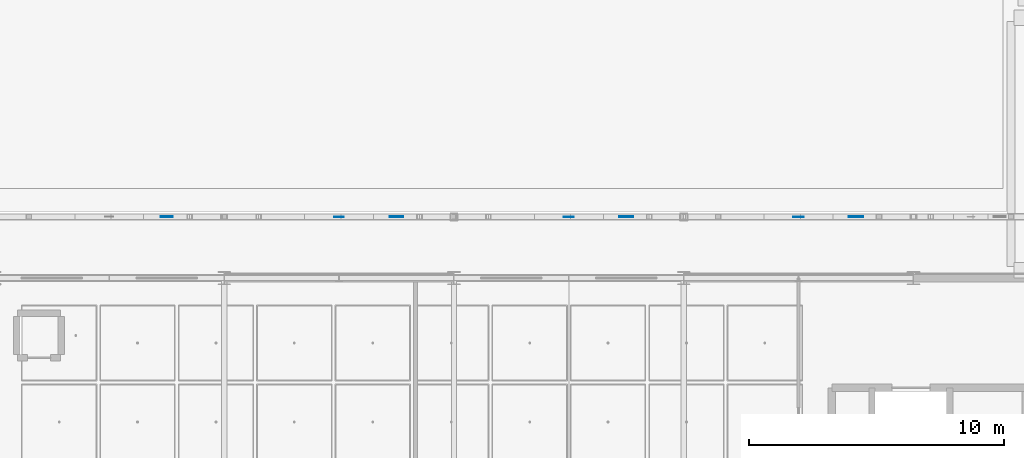
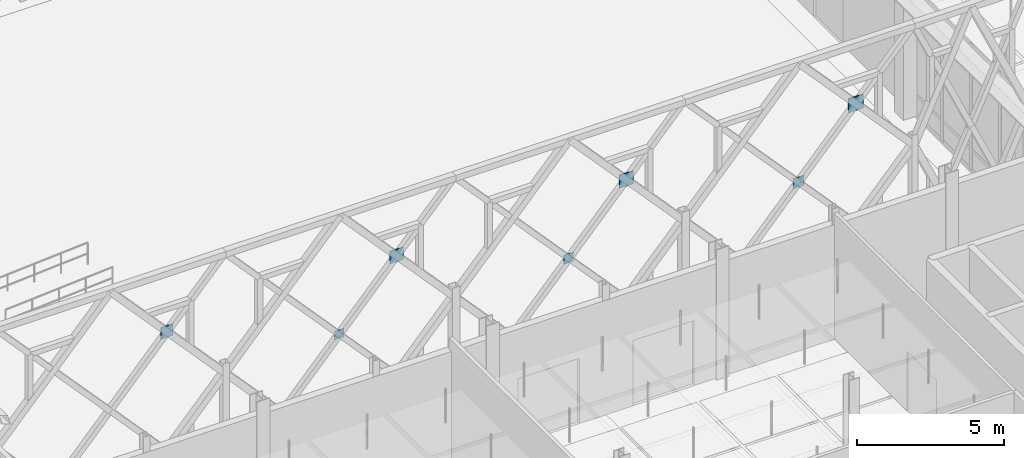
# One storey, part 84 of 180: 7 plates.
"""IFC4 building model written with IfcOpenShell, lengths in metres."""

from ifc_helpers import new_model, si_unit, direction, frame, origin, origin_2d, place, context, subcontext, project, spatial, rectangle, extrude, material, layer, layer_set, type_object, element, save


model = new_model("IFC4")

# Units and contexts
model_context = context("Model", 3, precision=1e-05, world=origin(), true_north=direction((0.0, 1.0)))
body_context = subcontext(model_context, "Body", "Model", "MODEL_VIEW")
ifc_project = project(units=[si_unit("LENGTHUNIT", "METRE"), si_unit("AREAUNIT", "SQUARE_METRE"), si_unit("VOLUMEUNIT", "CUBIC_METRE"), si_unit("PLANEANGLEUNIT", "RADIAN"), si_unit("MASSUNIT", "GRAM", prefix="KILO"), si_unit("THERMODYNAMICTEMPERATUREUNIT", "KELVIN"), si_unit("POWERUNIT", "WATT")], contexts=[model_context])

# Site, building, storey
site_placement = place(None, origin())
site = spatial("IfcSite", under=ifc_project, at=site_placement, CompositionType="ELEMENT")
building_placement = place(site_placement, origin())
building = spatial("IfcBuilding", under=site, at=building_placement, Name="Tallowbark Science Centre", CompositionType="ELEMENT")
storey_placement = place(building_placement, origin())
storey = spatial("IfcBuildingStorey", under=building, at=storey_placement, Name="L00", CompositionType="ELEMENT", Elevation=0.0)

# Plates
ifc_material = material(Name="Structural Steel Grade 300PLUS (300 MPa)", Category="steel")
ifc_layer_1 = layer(ifc_material, 0.01611328125)
ifc_layer_set_1 = layer_set([ifc_layer_1], Name="Structural Steel Grade 300PLUS (300 MPa)")
plate_type_1 = type_object("IfcPlateType", Name="PLT-GUS-16", PredefinedType="SHEET", material=ifc_layer_set_1)
plate_1_placement = place(storey_placement, frame((72.0, 42.89990234375, 4.77001953125), z_axis=(0.0, 0.0, 1.0), x_axis=(1.0, 0.0, 0.0)))
element("IfcPlate", 1, at=plate_1_placement, inside=storey, type_object=plate_type_1, Name="Star X-Brace Crossing Gusset Plate N-4", PredefinedType="SHEET", context=body_context, shape_type="SweptSolid", body=[
    extrude(rectangle(XDim=0.360107421875, YDim=0.01611328125, at=origin_2d()), origin(), (0.0, 0.0, 1.0), 0.360107421875),
])
ifc_layer_2 = layer(ifc_material, 0.01806640625)
ifc_layer_set_2 = layer_set([ifc_layer_2], Name="Structural Steel Grade 300PLUS (300 MPa)")
plate_type_2 = type_object("IfcPlateType", Name="PLT-GUS-18", PredefinedType="SHEET", material=ifc_layer_set_2)
plate_2_placement = place(storey_placement, frame((81.0, 42.89990234375, 4.760009765625), z_axis=(0.0, 0.0, 1.0), x_axis=(1.0, 0.0, 0.0)))
element("IfcPlate", 2, at=plate_2_placement, inside=storey, type_object=plate_type_2, Name="Star X-Brace Crossing Gusset Plate N-5", PredefinedType="SHEET", context=body_context, shape_type="SweptSolid", body=[
    extrude(rectangle(XDim=0.3798828125, YDim=0.01806640625, at=origin_2d()), origin(), (0.0, 0.0, 1.0), 0.3798828125),
])
ifc_layer_3 = layer(ifc_material, 0.02197265625)
ifc_layer_set_3 = layer_set([ifc_layer_3], Name="Structural Steel Grade 300PLUS (300 MPa)")
plate_type_3 = type_object("IfcPlateType", Name="PLT-GUS-22", PredefinedType="SHEET", material=ifc_layer_set_3)
plate_3_placement = place(storey_placement, frame((90.0, 42.89990234375, 4.739990234375), z_axis=(0.0, 0.0, 1.0), x_axis=(1.0, 0.0, 0.0)))
element("IfcPlate", 3, at=plate_3_placement, inside=storey, type_object=plate_type_3, Name="Star X-Brace Crossing Gusset Plate N-7", PredefinedType="SHEET", context=body_context, shape_type="SweptSolid", body=[
    extrude(rectangle(XDim=0.419921875, YDim=0.02197265625, at=origin_2d()), origin(), (0.0, 0.0, 1.0), 0.419921875),
])
ifc_layer_4 = layer(ifc_material, 0.028076171875)
ifc_layer_set_4 = layer_set([ifc_layer_4], Name="Structural Steel Grade 300PLUS (300 MPa)")
plate_type_4 = type_object("IfcPlateType", Name="PLT-GUS-28", PredefinedType="SHEET", material=ifc_layer_set_4)
plate_4_placement = place(storey_placement, frame((65.25, 42.89990234375, 7.18505859375), z_axis=(0.0, 0.0, 1.0), x_axis=(1.0, 0.0, 0.0)))
element("IfcPlate", 4, at=plate_4_placement, inside=storey, type_object=plate_type_4, Name="Star Primary Chord Crossing Gusset Plate N-2", PredefinedType="SHEET", context=body_context, shape_type="SweptSolid", body=[
    extrude(rectangle(XDim=0.47998046875, YDim=0.028076171875, at=origin_2d()), origin(), (0.0, 0.0, 1.0), 0.47998046875),
])
ifc_layer_5 = layer(ifc_material, 0.031982421875)
ifc_layer_set_5 = layer_set([ifc_layer_5], Name="Structural Steel Grade 300PLUS (300 MPa)")
plate_type_5 = type_object("IfcPlateType", Name="PLT-GUS-32", PredefinedType="SHEET", material=ifc_layer_set_5)
plate_5_placement = place(storey_placement, frame((74.25, 42.89990234375, 7.1650390625), z_axis=(0.0, 0.0, 1.0), x_axis=(1.0, 0.0, 0.0)))
element("IfcPlate", 5, at=plate_5_placement, inside=storey, type_object=plate_type_5, Name="Star Primary Chord Crossing Gusset Plate N-4", PredefinedType="SHEET", context=body_context, shape_type="SweptSolid", body=[
    extrude(rectangle(XDim=0.52001953125, YDim=0.031982421875, at=origin_2d()), origin(), (0.0, 0.0, 1.0), 0.52001953125),
])
ifc_layer_6 = layer(ifc_material, 0.033935546875)
ifc_layer_set_6 = layer_set([ifc_layer_6], Name="Structural Steel Grade 300PLUS (300 MPa)")
plate_type_6 = type_object("IfcPlateType", Name="PLT-GUS-34", PredefinedType="SHEET", material=ifc_layer_set_6)
plate_6_placement = place(storey_placement, frame((83.25, 42.89990234375, 7.155029296875), z_axis=(0.0, 0.0, 1.0), x_axis=(1.0, 0.0, 0.0)))
element("IfcPlate", 6, at=plate_6_placement, inside=storey, type_object=plate_type_6, Name="Star Primary Chord Crossing Gusset Plate N-5", PredefinedType="SHEET", context=body_context, shape_type="SweptSolid", body=[
    extrude(rectangle(XDim=0.5400390625, YDim=0.033935546875, at=origin_2d()), origin(), (0.0, 0.0, 1.0), 0.5400390625),
])
ifc_layer_7 = layer(ifc_material, 0.0380859375)
ifc_layer_set_7 = layer_set([ifc_layer_7], Name="Structural Steel Grade 300PLUS (300 MPa)")
plate_type_7 = type_object("IfcPlateType", Name="PLT-GUS-38", PredefinedType="SHEET", material=ifc_layer_set_7)
plate_7_placement = place(storey_placement, frame((92.25, 42.89990234375, 7.135009765625), z_axis=(0.0, 0.0, 1.0), x_axis=(1.0, 0.0, 0.0)))
element("IfcPlate", 7, at=plate_7_placement, inside=storey, type_object=plate_type_7, Name="Star Primary Chord Crossing Gusset Plate N-7", PredefinedType="SHEET", context=body_context, shape_type="SweptSolid", body=[
    extrude(rectangle(XDim=0.580078125, YDim=0.0380859375, at=origin_2d()), origin(), (0.0, 0.0, 1.0), 0.580078125),
])

save(model, "model.ifc")
